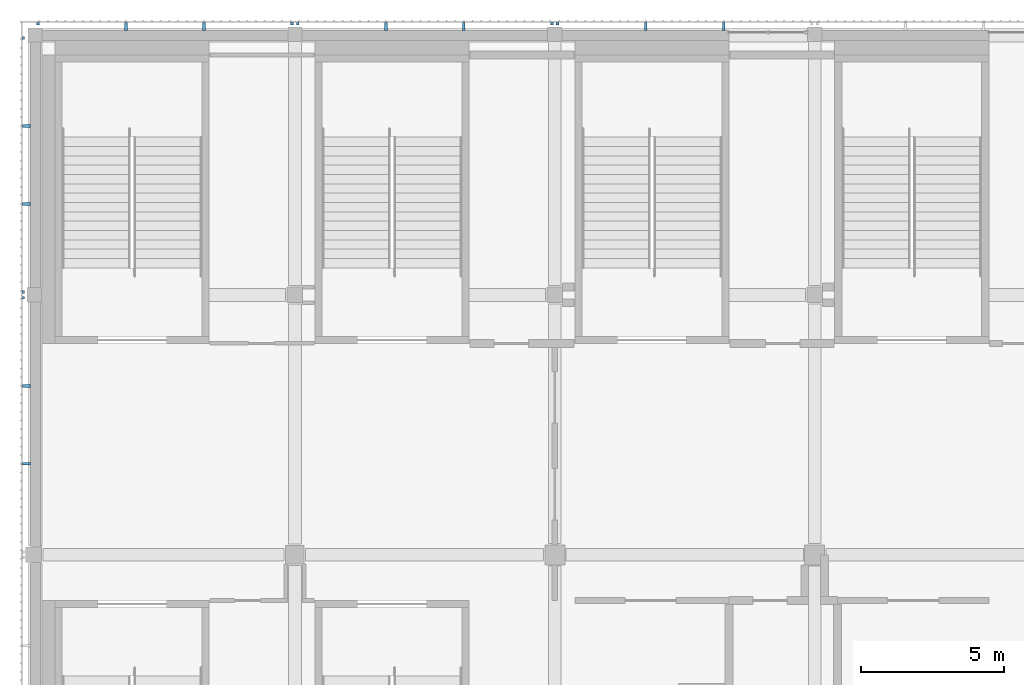
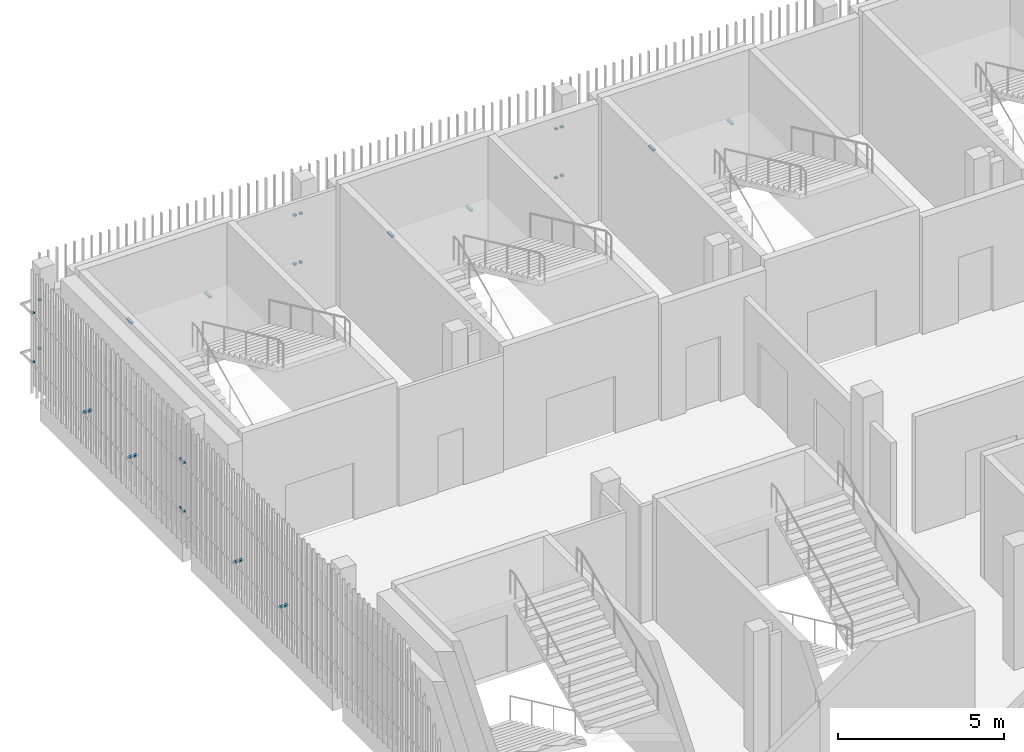
# One storey, part 105 of 139: 26 discrete accessories.
"""IFC4 building model written with IfcOpenShell, lengths in metres."""

from ifc_helpers import new_model, si_unit, direction, frame, origin, origin_2d, place, context, subcontext, project, spatial, rectangle, extrude, material, type_object, element, save


model = new_model("IFC4")

# Units and contexts
model_context = context("Model", 3, precision=1e-05, world=origin(), true_north=direction((0.0, 1.0)))
body_context = subcontext(model_context, "Body", "Model", "MODEL_VIEW")
ifc_project = project(units=[si_unit("LENGTHUNIT", "METRE"), si_unit("AREAUNIT", "SQUARE_METRE"), si_unit("VOLUMEUNIT", "CUBIC_METRE"), si_unit("PLANEANGLEUNIT", "RADIAN"), si_unit("MASSUNIT", "GRAM", prefix="KILO")], contexts=[model_context])

# Site, building, storey
site_placement = place(None, origin())
site = spatial("IfcSite", under=ifc_project, at=site_placement, CompositionType="ELEMENT")
building_placement = place(site_placement, origin())
building = spatial("IfcBuilding", under=site, at=building_placement, Name="Shirokan Park Arena", CompositionType="ELEMENT")
storey_placement = place(building_placement, frame((0.0, 0.0, 15.469970703125)))
storey = spatial("IfcBuildingStorey", under=building, at=storey_placement, Name="L03", CompositionType="ELEMENT", Elevation=15.469970703125)

# Discrete accessories
ifc_material = material(Name="Steel S355", Category="steel")
discrete_accessory_type = type_object("IfcDiscreteAccessoryType", Name="Veil bracket 100x60", PredefinedType="BRACKET", material=ifc_material)
for number, where, z_axis, x_axis, name in (
    (1, (18.300048828125, 109.597412109375, 1.070068359375), (0.0, 0.0, 1.0), (-1.0, 0.0, 0.0), "Veil bracket north bay 14 L03 2"),
    (2, (18.300048828125, 109.597412109375, 2.8701171875), (0.0, 0.0, 1.0), (-1.0, 0.0, 0.0), "Veil bracket north bay 14 L03 4"),
):
    element("IfcDiscreteAccessory", number, at=place(storey_placement, frame(where, z_axis=z_axis, x_axis=x_axis)), inside=storey, type_object=discrete_accessory_type, Name=name, PredefinedType="BRACKET", context=body_context, shape_type="SweptSolid", body=[
        extrude(rectangle(XDim=0.10009765625, YDim=0.094970703125, at=origin_2d()), origin(), (0.0, 0.0, 1.0), 0.06005859375),
    ])
for number, where, z_axis, x_axis, name in (
    (3, (24.114990234375, 109.49755859375, 1.070068359375), (0.0, 0.0, 1.0), (-1.0, 0.0, 0.0), "Veil bracket north bay 14 L03 wall 1"),
    (4, (21.385009765625, 109.49755859375, 1.070068359375), (0.0, 0.0, 1.0), (-1.0, 0.0, 0.0), "Veil bracket north bay 14 L03 wall 2"),
):
    element("IfcDiscreteAccessory", number, at=place(storey_placement, frame(where, z_axis=z_axis, x_axis=x_axis)), inside=storey, type_object=discrete_accessory_type, Name=name, PredefinedType="BRACKET", context=body_context, shape_type="SweptSolid", body=[
        extrude(rectangle(XDim=0.10009765625, YDim=0.294921875, at=origin_2d()), origin(), (0.0, 0.0, 1.0), 0.06005859375),
    ])
for number, where, z_axis, x_axis, name in (
    (5, (18.10009765625, 109.597412109375, 1.070068359375), (0.0, 0.0, 1.0), (-1.0, 0.0, 0.0), "Veil bracket north bay 15 L03 1"),
    (6, (9.199951171875, 109.597412109375, 1.070068359375), (0.0, 0.0, 1.0), (-1.0, 0.0, 0.0), "Veil bracket north bay 15 L03 2"),
    (7, (18.10009765625, 109.597412109375, 2.8701171875), (0.0, 0.0, 1.0), (-1.0, 0.0, 0.0), "Veil bracket north bay 15 L03 3"),
    (8, (9.199951171875, 109.597412109375, 2.8701171875), (0.0, 0.0, 1.0), (-1.0, 0.0, 0.0), "Veil bracket north bay 15 L03 4"),
):
    element("IfcDiscreteAccessory", number, at=place(storey_placement, frame(where, z_axis=z_axis, x_axis=x_axis)), inside=storey, type_object=discrete_accessory_type, Name=name, PredefinedType="BRACKET", context=body_context, shape_type="SweptSolid", body=[
        extrude(rectangle(XDim=0.10009765625, YDim=0.094970703125, at=origin_2d()), origin(), (0.0, 0.0, 1.0), 0.06005859375),
    ])
for number, where, z_axis, x_axis, name in (
    (9, (15.014892578125, 109.49755859375, 1.070068359375), (0.0, 0.0, 1.0), (-1.0, 0.0, 0.0), "Veil bracket north bay 15 L03 wall 1"),
    (10, (12.284912109375, 109.49755859375, 1.070068359375), (0.0, 0.0, 1.0), (-1.0, 0.0, 0.0), "Veil bracket north bay 15 L03 wall 2"),
):
    element("IfcDiscreteAccessory", number, at=place(storey_placement, frame(where, z_axis=z_axis, x_axis=x_axis)), inside=storey, type_object=discrete_accessory_type, Name=name, PredefinedType="BRACKET", context=body_context, shape_type="SweptSolid", body=[
        extrude(rectangle(XDim=0.10009765625, YDim=0.294921875, at=origin_2d()), origin(), (0.0, 0.0, 1.0), 0.06005859375),
    ])
for number, where, z_axis, x_axis, name in (
    (11, (9.0, 109.597412109375, 1.070068359375), (0.0, 0.0, 1.0), (-1.0, 0.0, 0.0), "Veil bracket north bay 16 L03 1"),
    (12, (0.10009765625, 109.597412109375, 1.070068359375), (0.0, 0.0, 1.0), (-1.0, 0.0, 0.0), "Veil bracket north bay 16 L03 2"),
    (13, (9.0, 109.597412109375, 2.8701171875), (0.0, 0.0, 1.0), (-1.0, 0.0, 0.0), "Veil bracket north bay 16 L03 3"),
    (14, (0.10009765625, 109.597412109375, 2.8701171875), (0.0, 0.0, 1.0), (-1.0, 0.0, 0.0), "Veil bracket north bay 16 L03 4"),
):
    element("IfcDiscreteAccessory", number, at=place(storey_placement, frame(where, z_axis=z_axis, x_axis=x_axis)), inside=storey, type_object=discrete_accessory_type, Name=name, PredefinedType="BRACKET", context=body_context, shape_type="SweptSolid", body=[
        extrude(rectangle(XDim=0.10009765625, YDim=0.094970703125, at=origin_2d()), origin(), (0.0, 0.0, 1.0), 0.06005859375),
    ])
for number, where, z_axis, x_axis, name in (
    (15, (5.9150390625, 109.49755859375, 1.070068359375), (0.0, 0.0, 1.0), (-1.0, 0.0, 0.0), "Veil bracket north bay 16 L03 wall 1"),
    (16, (3.18505859375, 109.49755859375, 1.070068359375), (0.0, 0.0, 1.0), (-1.0, 0.0, 0.0), "Veil bracket north bay 16 L03 wall 2"),
):
    element("IfcDiscreteAccessory", number, at=place(storey_placement, frame(where, z_axis=z_axis, x_axis=x_axis)), inside=storey, type_object=discrete_accessory_type, Name=name, PredefinedType="BRACKET", context=body_context, shape_type="SweptSolid", body=[
        extrude(rectangle(XDim=0.10009765625, YDim=0.294921875, at=origin_2d()), origin(), (0.0, 0.0, 1.0), 0.06005859375),
    ])
for number, where, z_axis, x_axis, name in (
    (17, (-0.409912109375, 109.10009765625, 1.070068359375), (0.0, 0.0, 1.0), (0.0, -1.0, 0.0), "Veil bracket west bay 1 L03 1"),
    (18, (-0.409912109375, 100.199951171875, 1.070068359375), (0.0, 0.0, 1.0), (0.0, -1.0, 0.0), "Veil bracket west bay 1 L03 2"),
    (19, (-0.409912109375, 109.10009765625, 2.8701171875), (0.0, 0.0, 1.0), (0.0, -1.0, 0.0), "Veil bracket west bay 1 L03 3"),
    (20, (-0.409912109375, 100.199951171875, 2.8701171875), (0.0, 0.0, 1.0), (0.0, -1.0, 0.0), "Veil bracket west bay 1 L03 4"),
):
    element("IfcDiscreteAccessory", number, at=place(storey_placement, frame(where, z_axis=z_axis, x_axis=x_axis)), inside=storey, type_object=discrete_accessory_type, Name=name, PredefinedType="BRACKET", context=body_context, shape_type="SweptSolid", body=[
        extrude(rectangle(XDim=0.10009765625, YDim=0.070068359375, at=origin_2d()), origin(), (0.0, 0.0, 1.0), 0.06005859375),
    ])
for number, where, z_axis, x_axis, name in (
    (21, (-0.297607421875, 106.014892578125, 1.070068359375), (0.0, 0.0, 1.0), (0.0, -1.0, 0.0), "Veil bracket west bay 1 L03 wall 1"),
    (22, (-0.297607421875, 103.284912109375, 1.070068359375), (0.0, 0.0, 1.0), (0.0, -1.0, 0.0), "Veil bracket west bay 1 L03 wall 2"),
):
    element("IfcDiscreteAccessory", number, at=place(storey_placement, frame(where, z_axis=z_axis, x_axis=x_axis)), inside=storey, type_object=discrete_accessory_type, Name=name, PredefinedType="BRACKET", context=body_context, shape_type="SweptSolid", body=[
        extrude(rectangle(XDim=0.10009765625, YDim=0.294921875, at=origin_2d()), origin(), (0.0, 0.0, 1.0), 0.06005859375),
    ])
for number, where, z_axis, x_axis, name in (
    (23, (-0.409912109375, 100.0, 1.070068359375), (0.0, 0.0, 1.0), (0.0, -1.0, 0.0), "Veil bracket west bay 2 L03 1"),
    (24, (-0.409912109375, 100.0, 2.8701171875), (0.0, 0.0, 1.0), (0.0, -1.0, 0.0), "Veil bracket west bay 2 L03 3"),
):
    element("IfcDiscreteAccessory", number, at=place(storey_placement, frame(where, z_axis=z_axis, x_axis=x_axis)), inside=storey, type_object=discrete_accessory_type, Name=name, PredefinedType="BRACKET", context=body_context, shape_type="SweptSolid", body=[
        extrude(rectangle(XDim=0.10009765625, YDim=0.070068359375, at=origin_2d()), origin(), (0.0, 0.0, 1.0), 0.06005859375),
    ])
for number, where, z_axis, x_axis, name in (
    (25, (-0.297607421875, 96.9150390625, 1.070068359375), (0.0, 0.0, 1.0), (0.0, -1.0, 0.0), "Veil bracket west bay 2 L03 wall 1"),
    (26, (-0.297607421875, 94.18505859375, 1.070068359375), (0.0, 0.0, 1.0), (0.0, -1.0, 0.0), "Veil bracket west bay 2 L03 wall 2"),
):
    element("IfcDiscreteAccessory", number, at=place(storey_placement, frame(where, z_axis=z_axis, x_axis=x_axis)), inside=storey, type_object=discrete_accessory_type, Name=name, PredefinedType="BRACKET", context=body_context, shape_type="SweptSolid", body=[
        extrude(rectangle(XDim=0.10009765625, YDim=0.294921875, at=origin_2d()), origin(), (0.0, 0.0, 1.0), 0.06005859375),
    ])

save(model, "model.ifc")
